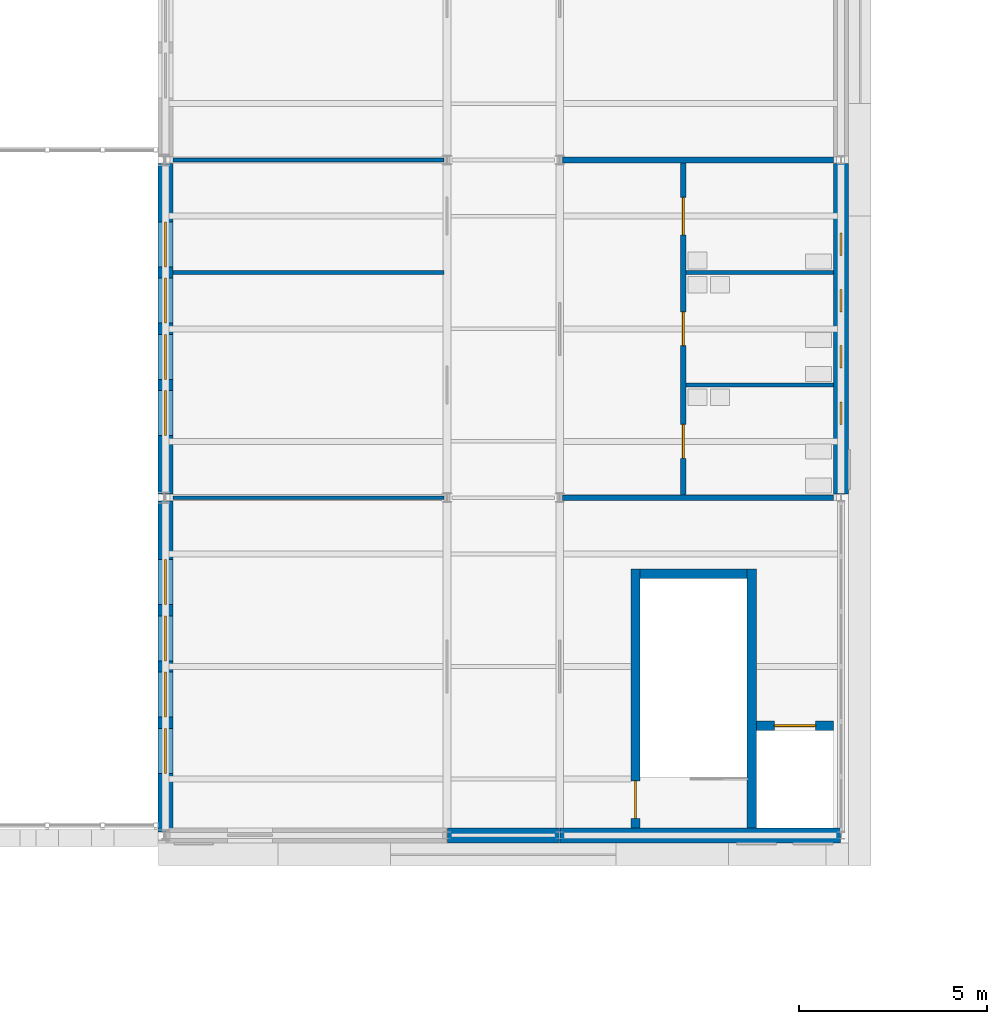
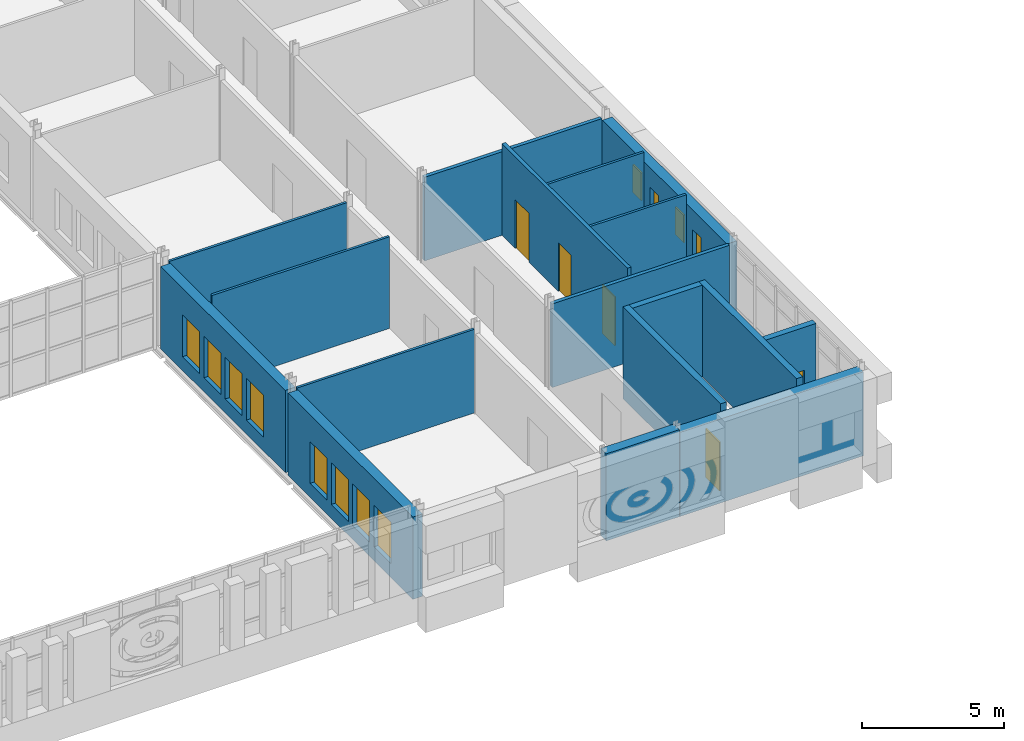
# One storey, part 105 of 154: 17 walls, 12 windows, 5 doors, 17 openings.
"""IFC4 building model written with IfcOpenShell, lengths in metres."""

from ifc_helpers import new_model, si_unit, direction, frame, frame_2d, origin, place, context, subcontext, project, spatial, rectangle, extrude, material, layer, layer_set, type_object, element, fill, save


model = new_model("IFC4")

# Units and contexts
model_context = context("Model", 3, precision=1e-05, world=origin(), true_north=direction((0.0, 1.0)))
body_context = subcontext(model_context, "Body", "Model", "MODEL_VIEW")
ifc_project = project(units=[si_unit("LENGTHUNIT", "METRE"), si_unit("AREAUNIT", "SQUARE_METRE"), si_unit("VOLUMEUNIT", "CUBIC_METRE"), si_unit("PLANEANGLEUNIT", "RADIAN"), si_unit("MASSUNIT", "GRAM", prefix="KILO")], contexts=[model_context])

# Site, building, storey
site_placement = place(None, origin())
site = spatial("IfcSite", under=ifc_project, at=site_placement, CompositionType="ELEMENT")
building_placement = place(site_placement, origin())
building = spatial("IfcBuilding", under=site, at=building_placement, Name="Golden Quay Civic Hall", CompositionType="ELEMENT")
storey_placement = place(building_placement, frame((0.0, 0.0, 14.39990234375)))
storey = spatial("IfcBuildingStorey", under=building, at=storey_placement, Name="L03", CompositionType="ELEMENT", Elevation=14.39990234375)

# Wall
ifc_material_1 = material(Name="Concrete C40/50", Category="concrete")
ifc_layer_1 = layer(ifc_material_1, 0.25)
ifc_layer_set_1 = layer_set([ifc_layer_1], Name="Concrete core wall 250, Concrete C40/50")
wall_type_1 = type_object("IfcWallType", Name="Concrete core wall 250", PredefinedType="SHEAR", material=ifc_layer_set_1)
wall_1_placement = place(storey_placement, frame((114.625, 0.199951171875, 0.0), z_axis=(0.0, 0.0, 1.0), x_axis=(0.0, 1.0, 0.0)))
element("IfcWall", 1, at=wall_1_placement, inside=storey, type_object=wall_type_1, Name="Core wall EM-S-W1", PredefinedType="SHEAR", context=body_context, shape_type="SweptSolid", body=[
    extrude(rectangle(XDim=6.900146484375, YDim=0.25, at=frame_2d((3.4501953125, 0.0))), origin(), (0.0, 0.0, 1.0), 3.9501953125),
])

# Wall, opening, door
wall_2_placement = place(storey_placement, frame((111.52490234375, 0.199951171875, 0.0), z_axis=(0.0, 0.0, 1.0), x_axis=(0.0, 1.0, 0.0)))
wall_2 = element("IfcWall", 2, at=wall_2_placement, inside=storey, type_object=wall_type_1, Name="Core wall EM-S-W2", PredefinedType="SHEAR", context=body_context, shape_type="SweptSolid", body=[
    extrude(rectangle(XDim=6.900146484375, YDim=0.25, at=frame_2d((3.4501953125, 0.0))), origin(), (0.0, 0.0, 1.0), 3.9501953125),
])
opening_1_placement = place(wall_2_placement, frame((0.25, 0.0, 0.0)))
opening_1 = element("IfcOpeningElement", 3, at=opening_1_placement, cuts=wall_2, Name="Opening L03-D120", PredefinedType="OPENING", context=body_context, shape_type="SweptSolid", body=[
    extrude(rectangle(XDim=1.0, YDim=2.10009765625, at=frame_2d((0.5, 1.050048828125))), frame((0.0, 0.135009765625, 0.0), z_axis=(0.0, -1.0, 0.0), x_axis=(1.0, 0.0, 0.0)), (0.0, 0.0, 1.0), 0.27001953125),
])
ifc_material_2 = material(Name="Steel", Category="steel")
door_type_1 = type_object("IfcDoorType", Name="Steel fire door FD60 1000 x 2100", OperationType="SINGLE_SWING_LEFT", PredefinedType="DOOR", material=ifc_material_2)
door_1_placement = place(opening_1_placement, frame((1.0, 0.0, 0.0), z_axis=(0.0, 0.0, 1.0), x_axis=(-1.0, 0.0, 0.0)))
door_1 = element("IfcDoor", 4, at=door_1_placement, inside=storey, type_object=door_type_1, Name="Door L03-D120", OperationType="SINGLE_SWING_RIGHT", OverallHeight=2.10009765625, OverallWidth=1.0, PredefinedType="DOOR", context=body_context, shape_type="SweptSolid", body=[
    extrude(rectangle(XDim=1.0, YDim=2.10009765625, at=frame_2d((0.5, 1.050048828125))), frame((0.0, 0.025146484375, 0.0), z_axis=(0.0, -1.0, 0.0), x_axis=(1.0, 0.0, 0.0)), (0.0, 0.0, 1.0), 0.050048828125),
])
fill(opening_1, door_1)

# Wall
wall_3_placement = place(storey_placement, frame((111.64990234375, 6.97509765625, 0.0), z_axis=(0.0, 0.0, 1.0), x_axis=(1.0, 0.0, 0.0)))
element("IfcWall", 5, at=wall_3_placement, inside=storey, type_object=wall_type_1, Name="Core wall EM-S-W3", PredefinedType="SHEAR", context=body_context, shape_type="SweptSolid", body=[
    extrude(rectangle(XDim=2.85009765625, YDim=0.25, at=frame_2d((1.425048828125, 0.0))), origin(), (0.0, 0.0, 1.0), 3.9501953125),
])

# Wall, opening, door
wall_4_placement = place(storey_placement, frame((114.75, 2.925048828125, 0.0), z_axis=(0.0, 0.0, 1.0), x_axis=(1.0, 0.0, 0.0)))
wall_4 = element("IfcWall", 6, at=wall_4_placement, inside=storey, type_object=wall_type_1, Name="Core wall EM-S-W4", PredefinedType="SHEAR", context=body_context, shape_type="SweptSolid", body=[
    extrude(rectangle(XDim=2.050048828125, YDim=0.25, at=frame_2d((1.02490234375, 0.0))), origin(), (0.0, 0.0, 1.0), 3.9501953125),
])
opening_2_placement = place(wall_4_placement, frame((0.47509765625, 0.0, 0.0)))
opening_2 = element("IfcOpeningElement", 7, at=opening_2_placement, cuts=wall_4, Name="Opening L03-D124", PredefinedType="OPENING", context=body_context, shape_type="SweptSolid", body=[
    extrude(rectangle(XDim=1.10009765625, YDim=2.10009765625, at=frame_2d((0.550048828125, 1.050048828125))), frame((0.0, 0.135009765625, 0.0), z_axis=(0.0, -1.0, 0.0), x_axis=(1.0, 0.0, 0.0)), (0.0, 0.0, 1.0), 0.27001953125),
])
ifc_material_3 = material(Name="Steel", Category="steel")
door_type_2 = type_object("IfcDoorType", Name="Lift landing door 1100 x 2100", OperationType="SLIDING_TO_LEFT", PredefinedType="DOOR", material=ifc_material_3)
door_2_placement = place(opening_2_placement, origin())
door_2 = element("IfcDoor", 8, at=door_2_placement, inside=storey, type_object=door_type_2, Name="Lift landing door L03-D124 EM-S", OperationType="SLIDING_TO_LEFT", OverallHeight=2.10009765625, OverallWidth=1.10009765625, PredefinedType="DOOR", context=body_context, shape_type="SweptSolid", body=[
    extrude(rectangle(XDim=1.10009765625, YDim=2.10009765625, at=frame_2d((0.550048828125, 1.050048828125))), frame((0.0, 0.02490234375, 0.0), z_axis=(0.0, -1.0, 0.0), x_axis=(1.0, 0.0, 0.0)), (0.0, 0.0, 1.0), 0.050048828125),
])
fill(opening_2, door_2)

# Walls
ifc_material_4 = material(Name="Plasterboard on steel studs", Category="steel")
ifc_layer_2 = layer(ifc_material_4, 0.10009765625)
ifc_layer_set_2 = layer_set([ifc_layer_2], Name="Partition 100 stud")
wall_type_2 = type_object("IfcWallType", Name="Partition 100 stud", PredefinedType="PARTITIONING", material=ifc_layer_set_2)
wall_5_placement = place(storey_placement, frame((99.199951171875, 9.0, 0.0), z_axis=(0.0, 0.0, 1.0), x_axis=(1.0, 0.0, 0.0)))
element("IfcWall", 9, at=wall_5_placement, inside=storey, type_object=wall_type_2, Name="Partition L03-005", PredefinedType="PARTITIONING", context=body_context, shape_type="SweptSolid", body=[
    extrude(rectangle(XDim=7.22509765625, YDim=0.10009765625, at=frame_2d((3.612548828125, 0.0))), origin(), (0.0, 0.0, 1.0), 3.60009765625),
])
wall_6_placement = place(storey_placement, frame((99.199951171875, 15.0, 0.0), z_axis=(0.0, 0.0, 1.0), x_axis=(1.0, 0.0, 0.0)))
element("IfcWall", 10, at=wall_6_placement, inside=storey, type_object=wall_type_2, Name="Partition L03-006", PredefinedType="PARTITIONING", context=body_context, shape_type="SweptSolid", body=[
    extrude(rectangle(XDim=7.22509765625, YDim=0.10009765625, at=frame_2d((3.612548828125, 0.0))), origin(), (0.0, 0.0, 1.0), 3.9501953125),
])
wall_7_placement = place(storey_placement, frame((99.199951171875, 18.0, 0.0), z_axis=(0.0, 0.0, 1.0), x_axis=(1.0, 0.0, 0.0)))
element("IfcWall", 11, at=wall_7_placement, inside=storey, type_object=wall_type_2, Name="Partition L03-007", PredefinedType="PARTITIONING", context=body_context, shape_type="SweptSolid", body=[
    extrude(rectangle(XDim=7.22509765625, YDim=0.10009765625, at=frame_2d((3.612548828125, 0.0))), origin(), (0.0, 0.0, 1.0), 3.60009765625),
])
for number, where, z_axis, x_axis, name in (
    (12, (112.875, 12.0, 0.0), (0.0, 0.0, 1.0), (1.0, 0.0, 0.0), "Partition L03-017"),
    (13, (112.875, 15.0, 0.0), (0.0, 0.0, 1.0), (1.0, 0.0, 0.0), "Partition L03-018"),
):
    element("IfcWall", number, at=place(storey_placement, frame(where, z_axis=z_axis, x_axis=x_axis)), inside=storey, type_object=wall_type_2, Name=name, PredefinedType="PARTITIONING", context=body_context, shape_type="SweptSolid", body=[
        extrude(rectangle(XDim=3.925048828125, YDim=0.10009765625, at=frame_2d((1.96240234375, 0.0))), origin(), (0.0, 0.0, 1.0), 3.9501953125),
    ])
ifc_material_5 = material(Name="Plasterboard on steel studs", Category="steel")
ifc_layer_3 = layer(ifc_material_5, 0.14990234375)
ifc_layer_set_3 = layer_set([ifc_layer_3], Name="Partition 150 stud fire EI 60")
wall_type_3 = type_object("IfcWallType", Name="Partition 150 stud fire EI 60", PredefinedType="PARTITIONING", material=ifc_layer_set_3)
for number, where, z_axis, x_axis, name in (
    (14, (109.574951171875, 18.0, 0.0), (0.0, 0.0, 1.0), (1.0, 0.0, 0.0), "Partition L03-000"),
    (15, (109.574951171875, 9.0, 0.0), (0.0, 0.0, 1.0), (1.0, 0.0, 0.0), "Partition L03-013"),
):
    element("IfcWall", number, at=place(storey_placement, frame(where, z_axis=z_axis, x_axis=x_axis)), inside=storey, type_object=wall_type_3, Name=name, PredefinedType="PARTITIONING", context=body_context, shape_type="SweptSolid", body=[
        extrude(rectangle(XDim=7.22509765625, YDim=0.14990234375, at=frame_2d((3.612548828125, 0.0))), origin(), (0.0, 0.0, 1.0), 3.60009765625),
    ])

# Wall, openings, doors
wall_8_placement = place(storey_placement, frame((112.800048828125, 9.074951171875, 0.0), z_axis=(0.0, 0.0, 1.0), x_axis=(0.0, 1.0, 0.0)))
wall_8 = element("IfcWall", 16, at=wall_8_placement, inside=storey, type_object=wall_type_3, Name="Partition L03-016", PredefinedType="PARTITIONING", context=body_context, shape_type="SweptSolid", body=[
    extrude(rectangle(XDim=8.85009765625, YDim=0.14990234375, at=frame_2d((4.425048828125, 0.0))), origin(), (0.0, 0.0, 1.0), 3.9501953125),
])
opening_3_placement = place(wall_8_placement, frame((0.97509765625, 0.0, 0.0)))
opening_3 = element("IfcOpeningElement", 17, at=opening_3_placement, cuts=wall_8, Name="Opening L03-D117", PredefinedType="OPENING", context=body_context, shape_type="SweptSolid", body=[
    extrude(rectangle(XDim=0.89990234375, YDim=2.10009765625, at=frame_2d((0.449951171875, 1.050048828125))), frame((0.0, 0.0849609375, 0.0), z_axis=(0.0, -1.0, 0.0), x_axis=(1.0, 0.0, 0.0)), (0.0, 0.0, 1.0), 0.169921875),
])
opening_4_placement = place(wall_8_placement, frame((3.97509765625, 0.0, 0.0)))
opening_4 = element("IfcOpeningElement", 18, at=opening_4_placement, cuts=wall_8, Name="Opening L03-D118", PredefinedType="OPENING", context=body_context, shape_type="SweptSolid", body=[
    extrude(rectangle(XDim=0.89990234375, YDim=2.10009765625, at=frame_2d((0.449951171875, 1.050048828125))), frame((0.0, 0.0849609375, 0.0), z_axis=(0.0, -1.0, 0.0), x_axis=(1.0, 0.0, 0.0)), (0.0, 0.0, 1.0), 0.169921875),
])
opening_5_placement = place(wall_8_placement, frame((6.925048828125, 0.0, 0.0)))
opening_5 = element("IfcOpeningElement", 19, at=opening_5_placement, cuts=wall_8, Name="Opening L03-D119", PredefinedType="OPENING", context=body_context, shape_type="SweptSolid", body=[
    extrude(rectangle(XDim=1.0, YDim=2.10009765625, at=frame_2d((0.5, 1.050048828125))), frame((0.0, 0.0849609375, 0.0), z_axis=(0.0, -1.0, 0.0), x_axis=(1.0, 0.0, 0.0)), (0.0, 0.0, 1.0), 0.169921875),
])
ifc_material_6 = material(Name="Timber", Category="wood")
door_type_3 = type_object("IfcDoorType", Name="Timber door 1000 x 2100", OperationType="SINGLE_SWING_LEFT", PredefinedType="DOOR", material=ifc_material_6)
door_3_placement = place(opening_5_placement, frame((1.0, 0.0, 0.0), z_axis=(0.0, 0.0, 1.0), x_axis=(-1.0, 0.0, 0.0)))
door_3 = element("IfcDoor", 20, at=door_3_placement, inside=storey, type_object=door_type_3, Name="Door L03-D119", OperationType="SINGLE_SWING_RIGHT", OverallHeight=2.10009765625, OverallWidth=1.0, PredefinedType="DOOR", context=body_context, shape_type="SweptSolid", body=[
    extrude(rectangle(XDim=1.0, YDim=2.10009765625, at=frame_2d((0.5, 1.050048828125))), frame((0.0, 0.025146484375, 0.0), z_axis=(0.0, -1.0, 0.0), x_axis=(1.0, 0.0, 0.0)), (0.0, 0.0, 1.0), 0.050048828125),
])
fill(opening_5, door_3)
ifc_material_7 = material(Name="Timber", Category="wood")
door_type_4 = type_object("IfcDoorType", Name="Timber door 900 x 2100", OperationType="SINGLE_SWING_LEFT", PredefinedType="DOOR", material=ifc_material_7)
door_4_placement = place(opening_3_placement, frame((0.89990234375, 0.0, 0.0), z_axis=(0.0, 0.0, 1.0), x_axis=(-1.0, 0.0, 0.0)))
door_4 = element("IfcDoor", 21, at=door_4_placement, inside=storey, type_object=door_type_4, Name="Door L03-D117", OperationType="SINGLE_SWING_RIGHT", OverallHeight=2.10009765625, OverallWidth=0.89990234375, PredefinedType="DOOR", context=body_context, shape_type="SweptSolid", body=[
    extrude(rectangle(XDim=0.89990234375, YDim=2.10009765625, at=frame_2d((0.449951171875, 1.050048828125))), frame((0.0, 0.025146484375, 0.0), z_axis=(0.0, -1.0, 0.0), x_axis=(1.0, 0.0, 0.0)), (0.0, 0.0, 1.0), 0.050048828125),
])
fill(opening_3, door_4)
door_5_placement = place(opening_4_placement, frame((0.89990234375, 0.0, 0.0), z_axis=(0.0, 0.0, 1.0), x_axis=(-1.0, 0.0, 0.0)))
door_5 = element("IfcDoor", 22, at=door_5_placement, inside=storey, type_object=door_type_4, Name="Door L03-D118", OperationType="SINGLE_SWING_RIGHT", OverallHeight=2.10009765625, OverallWidth=0.89990234375, PredefinedType="DOOR", context=body_context, shape_type="SweptSolid", body=[
    extrude(rectangle(XDim=0.89990234375, YDim=2.10009765625, at=frame_2d((0.449951171875, 1.050048828125))), frame((0.0, 0.025146484375, 0.0), z_axis=(0.0, -1.0, 0.0), x_axis=(1.0, 0.0, 0.0)), (0.0, 0.0, 1.0), 0.050048828125),
])
fill(opening_4, door_5)

# Wall, openings, windows
ifc_material_8 = material(Name="Clay block, rendered, cream")
ifc_layer_4 = layer(ifc_material_8, 0.39990234375)
ifc_layer_set_4 = layer_set([ifc_layer_4], Name="Rendered block external wall 400")
wall_type_4 = type_object("IfcWallType", Name="Rendered block external wall 400", PredefinedType="STANDARD", material=ifc_layer_set_4)
wall_9_placement = place(storey_placement, frame((99.0, 0.094970703125, 0.0), z_axis=(0.0, 0.0, 1.0), x_axis=(0.0, 1.0, 0.0)))
wall_9 = element("IfcWall", 23, at=wall_9_placement, inside=storey, type_object=wall_type_4, Name="Rendered block external wall 400 L03 35", PredefinedType="STANDARD", context=body_context, shape_type="SweptSolid", body=[
    extrude(rectangle(XDim=8.81005859375, YDim=0.39990234375, at=frame_2d((4.405029296875, 0.0))), origin(), (0.0, 0.0, 1.0), 3.550048828125),
])
opening_6_placement = place(wall_9_placement, frame((1.554931640625, 0.0, 0.60009765625)))
opening_6 = element("IfcOpeningElement", 24, at=opening_6_placement, cuts=wall_9, Name="Opening WN10", PredefinedType="OPENING", context=body_context, shape_type="SweptSolid", body=[
    extrude(rectangle(XDim=1.199951171875, YDim=1.800048828125, at=frame_2d((0.60009765625, 0.89990234375))), frame((0.0, 0.2099609375, 0.0), z_axis=(0.0, -1.0, 0.0), x_axis=(1.0, 0.0, 0.0)), (0.0, 0.0, 1.0), 0.419921875),
])
opening_7_placement = place(wall_9_placement, frame((3.054931640625, 0.0, 0.60009765625)))
opening_7 = element("IfcOpeningElement", 25, at=opening_7_placement, cuts=wall_9, Name="Opening WN10", PredefinedType="OPENING", context=body_context, shape_type="SweptSolid", body=[
    extrude(rectangle(XDim=1.199951171875, YDim=1.800048828125, at=frame_2d((0.60009765625, 0.89990234375))), frame((0.0, 0.2099609375, 0.0), z_axis=(0.0, -1.0, 0.0), x_axis=(1.0, 0.0, 0.0)), (0.0, 0.0, 1.0), 0.419921875),
])
opening_8_placement = place(wall_9_placement, frame((4.554931640625, 0.0, 0.60009765625)))
opening_8 = element("IfcOpeningElement", 26, at=opening_8_placement, cuts=wall_9, Name="Opening WN10", PredefinedType="OPENING", context=body_context, shape_type="SweptSolid", body=[
    extrude(rectangle(XDim=1.199951171875, YDim=1.800048828125, at=frame_2d((0.60009765625, 0.89990234375))), frame((0.0, 0.2099609375, 0.0), z_axis=(0.0, -1.0, 0.0), x_axis=(1.0, 0.0, 0.0)), (0.0, 0.0, 1.0), 0.419921875),
])
opening_9_placement = place(wall_9_placement, frame((6.054931640625, 0.0, 0.60009765625)))
opening_9 = element("IfcOpeningElement", 27, at=opening_9_placement, cuts=wall_9, Name="Opening WN10", PredefinedType="OPENING", context=body_context, shape_type="SweptSolid", body=[
    extrude(rectangle(XDim=1.199951171875, YDim=1.800048828125, at=frame_2d((0.60009765625, 0.89990234375))), frame((0.0, 0.2099609375, 0.0), z_axis=(0.0, -1.0, 0.0), x_axis=(1.0, 0.0, 0.0)), (0.0, 0.0, 1.0), 0.419921875),
])
ifc_material_9 = material(Name="Aluminium frame, double glazed", Category="aluminium")
window_type_1 = type_object("IfcWindowType", Name="Golden grid window 1200 x 1800", PartitioningType="SINGLE_PANEL", PredefinedType="WINDOW", material=ifc_material_9)
window_1_placement = place(opening_6_placement, origin())
window_1 = element("IfcWindow", 28, at=window_1_placement, inside=storey, type_object=window_type_1, Name="Golden grid window 1200 x 1800 L03 38", OverallHeight=1.800048828125, OverallWidth=1.199951171875, PartitioningType="SINGLE_PANEL", PredefinedType="WINDOW", context=body_context, shape_type="SweptSolid", body=[
    extrude(rectangle(XDim=1.199951171875, YDim=1.800048828125, at=frame_2d((0.60009765625, 0.89990234375))), frame((0.0, 0.030029296875, 0.0), z_axis=(0.0, -1.0, 0.0), x_axis=(1.0, 0.0, 0.0)), (0.0, 0.0, 1.0), 0.06005859375),
])
fill(opening_6, window_1)
window_2_placement = place(opening_7_placement, origin())
window_2 = element("IfcWindow", 29, at=window_2_placement, inside=storey, type_object=window_type_1, Name="Golden grid window 1200 x 1800 L03 39", OverallHeight=1.800048828125, OverallWidth=1.199951171875, PartitioningType="SINGLE_PANEL", PredefinedType="WINDOW", context=body_context, shape_type="SweptSolid", body=[
    extrude(rectangle(XDim=1.199951171875, YDim=1.800048828125, at=frame_2d((0.60009765625, 0.89990234375))), frame((0.0, 0.030029296875, 0.0), z_axis=(0.0, -1.0, 0.0), x_axis=(1.0, 0.0, 0.0)), (0.0, 0.0, 1.0), 0.06005859375),
])
fill(opening_7, window_2)
window_3_placement = place(opening_8_placement, origin())
window_3 = element("IfcWindow", 30, at=window_3_placement, inside=storey, type_object=window_type_1, Name="Golden grid window 1200 x 1800 L03 40", OverallHeight=1.800048828125, OverallWidth=1.199951171875, PartitioningType="SINGLE_PANEL", PredefinedType="WINDOW", context=body_context, shape_type="SweptSolid", body=[
    extrude(rectangle(XDim=1.199951171875, YDim=1.800048828125, at=frame_2d((0.60009765625, 0.89990234375))), frame((0.0, 0.030029296875, 0.0), z_axis=(0.0, -1.0, 0.0), x_axis=(1.0, 0.0, 0.0)), (0.0, 0.0, 1.0), 0.06005859375),
])
fill(opening_8, window_3)
window_4_placement = place(opening_9_placement, origin())
window_4 = element("IfcWindow", 31, at=window_4_placement, inside=storey, type_object=window_type_1, Name="Golden grid window 1200 x 1800 L03 41", OverallHeight=1.800048828125, OverallWidth=1.199951171875, PartitioningType="SINGLE_PANEL", PredefinedType="WINDOW", context=body_context, shape_type="SweptSolid", body=[
    extrude(rectangle(XDim=1.199951171875, YDim=1.800048828125, at=frame_2d((0.60009765625, 0.89990234375))), frame((0.0, 0.030029296875, 0.0), z_axis=(0.0, -1.0, 0.0), x_axis=(1.0, 0.0, 0.0)), (0.0, 0.0, 1.0), 0.06005859375),
])
fill(opening_9, window_4)

wall_10_placement = place(storey_placement, frame((99.0, 9.094970703125, 0.0), z_axis=(0.0, 0.0, 1.0), x_axis=(0.0, 1.0, 0.0)))
wall_10 = element("IfcWall", 32, at=wall_10_placement, inside=storey, type_object=wall_type_4, Name="Rendered block external wall 400 L03 36", PredefinedType="STANDARD", context=body_context, shape_type="SweptSolid", body=[
    extrude(rectangle(XDim=8.81005859375, YDim=0.39990234375, at=frame_2d((4.405029296875, 0.0))), origin(), (0.0, 0.0, 1.0), 3.550048828125),
])
opening_10_placement = place(wall_10_placement, frame((1.554931640625, 0.0, 0.60009765625)))
opening_10 = element("IfcOpeningElement", 33, at=opening_10_placement, cuts=wall_10, Name="Opening WN10", PredefinedType="OPENING", context=body_context, shape_type="SweptSolid", body=[
    extrude(rectangle(XDim=1.199951171875, YDim=1.800048828125, at=frame_2d((0.60009765625, 0.89990234375))), frame((0.0, 0.2099609375, 0.0), z_axis=(0.0, -1.0, 0.0), x_axis=(1.0, 0.0, 0.0)), (0.0, 0.0, 1.0), 0.419921875),
])
opening_11_placement = place(wall_10_placement, frame((3.054931640625, 0.0, 0.60009765625)))
opening_11 = element("IfcOpeningElement", 34, at=opening_11_placement, cuts=wall_10, Name="Opening WN10", PredefinedType="OPENING", context=body_context, shape_type="SweptSolid", body=[
    extrude(rectangle(XDim=1.199951171875, YDim=1.800048828125, at=frame_2d((0.60009765625, 0.89990234375))), frame((0.0, 0.2099609375, 0.0), z_axis=(0.0, -1.0, 0.0), x_axis=(1.0, 0.0, 0.0)), (0.0, 0.0, 1.0), 0.419921875),
])
opening_12_placement = place(wall_10_placement, frame((4.554931640625, 0.0, 0.60009765625)))
opening_12 = element("IfcOpeningElement", 35, at=opening_12_placement, cuts=wall_10, Name="Opening WN10", PredefinedType="OPENING", context=body_context, shape_type="SweptSolid", body=[
    extrude(rectangle(XDim=1.199951171875, YDim=1.800048828125, at=frame_2d((0.60009765625, 0.89990234375))), frame((0.0, 0.2099609375, 0.0), z_axis=(0.0, -1.0, 0.0), x_axis=(1.0, 0.0, 0.0)), (0.0, 0.0, 1.0), 0.419921875),
])
opening_13_placement = place(wall_10_placement, frame((6.054931640625, 0.0, 0.60009765625)))
opening_13 = element("IfcOpeningElement", 36, at=opening_13_placement, cuts=wall_10, Name="Opening WN10", PredefinedType="OPENING", context=body_context, shape_type="SweptSolid", body=[
    extrude(rectangle(XDim=1.199951171875, YDim=1.800048828125, at=frame_2d((0.60009765625, 0.89990234375))), frame((0.0, 0.2099609375, 0.0), z_axis=(0.0, -1.0, 0.0), x_axis=(1.0, 0.0, 0.0)), (0.0, 0.0, 1.0), 0.419921875),
])
window_5_placement = place(opening_10_placement, origin())
window_5 = element("IfcWindow", 37, at=window_5_placement, inside=storey, type_object=window_type_1, Name="Golden grid window 1200 x 1800 L03 42", OverallHeight=1.800048828125, OverallWidth=1.199951171875, PartitioningType="SINGLE_PANEL", PredefinedType="WINDOW", context=body_context, shape_type="SweptSolid", body=[
    extrude(rectangle(XDim=1.199951171875, YDim=1.800048828125, at=frame_2d((0.60009765625, 0.89990234375))), frame((0.0, 0.030029296875, 0.0), z_axis=(0.0, -1.0, 0.0), x_axis=(1.0, 0.0, 0.0)), (0.0, 0.0, 1.0), 0.06005859375),
])
fill(opening_10, window_5)
window_6_placement = place(opening_11_placement, origin())
window_6 = element("IfcWindow", 38, at=window_6_placement, inside=storey, type_object=window_type_1, Name="Golden grid window 1200 x 1800 L03 43", OverallHeight=1.800048828125, OverallWidth=1.199951171875, PartitioningType="SINGLE_PANEL", PredefinedType="WINDOW", context=body_context, shape_type="SweptSolid", body=[
    extrude(rectangle(XDim=1.199951171875, YDim=1.800048828125, at=frame_2d((0.60009765625, 0.89990234375))), frame((0.0, 0.030029296875, 0.0), z_axis=(0.0, -1.0, 0.0), x_axis=(1.0, 0.0, 0.0)), (0.0, 0.0, 1.0), 0.06005859375),
])
fill(opening_11, window_6)
window_7_placement = place(opening_12_placement, origin())
window_7 = element("IfcWindow", 39, at=window_7_placement, inside=storey, type_object=window_type_1, Name="Golden grid window 1200 x 1800 L03 44", OverallHeight=1.800048828125, OverallWidth=1.199951171875, PartitioningType="SINGLE_PANEL", PredefinedType="WINDOW", context=body_context, shape_type="SweptSolid", body=[
    extrude(rectangle(XDim=1.199951171875, YDim=1.800048828125, at=frame_2d((0.60009765625, 0.89990234375))), frame((0.0, 0.030029296875, 0.0), z_axis=(0.0, -1.0, 0.0), x_axis=(1.0, 0.0, 0.0)), (0.0, 0.0, 1.0), 0.06005859375),
])
fill(opening_12, window_7)
window_8_placement = place(opening_13_placement, origin())
window_8 = element("IfcWindow", 40, at=window_8_placement, inside=storey, type_object=window_type_1, Name="Golden grid window 1200 x 1800 L03 45", OverallHeight=1.800048828125, OverallWidth=1.199951171875, PartitioningType="SINGLE_PANEL", PredefinedType="WINDOW", context=body_context, shape_type="SweptSolid", body=[
    extrude(rectangle(XDim=1.199951171875, YDim=1.800048828125, at=frame_2d((0.60009765625, 0.89990234375))), frame((0.0, 0.030029296875, 0.0), z_axis=(0.0, -1.0, 0.0), x_axis=(1.0, 0.0, 0.0)), (0.0, 0.0, 1.0), 0.06005859375),
])
fill(opening_13, window_8)

wall_11_placement = place(storey_placement, frame((117.0, 17.905029296875, 0.0), z_axis=(0.0, 0.0, 1.0), x_axis=(0.0, -1.0, 0.0)))
wall_11 = element("IfcWall", 41, at=wall_11_placement, inside=storey, type_object=wall_type_4, Name="Rendered block external wall 400 L03 43", PredefinedType="STANDARD", context=body_context, shape_type="SweptSolid", body=[
    extrude(rectangle(XDim=8.81005859375, YDim=0.39990234375, at=frame_2d((4.405029296875, 0.0))), origin(), (0.0, 0.0, 1.0), 3.550048828125),
])
opening_14_placement = place(wall_11_placement, frame((6.35498046875, 0.0, 1.5)))
opening_14 = element("IfcOpeningElement", 42, at=opening_14_placement, cuts=wall_11, Name="Opening WN1", PredefinedType="OPENING", context=body_context, shape_type="SweptSolid", body=[
    extrude(rectangle(XDim=0.60009765625, YDim=1.199951171875, at=frame_2d((0.300048828125, 0.60009765625))), frame((0.0, 0.2099609375, 0.0), z_axis=(0.0, -1.0, 0.0), x_axis=(1.0, 0.0, 0.0)), (0.0, 0.0, 1.0), 0.419921875),
])
opening_15_placement = place(wall_11_placement, frame((4.85498046875, 0.0, 1.5)))
opening_15 = element("IfcOpeningElement", 43, at=opening_15_placement, cuts=wall_11, Name="Opening WN1", PredefinedType="OPENING", context=body_context, shape_type="SweptSolid", body=[
    extrude(rectangle(XDim=0.60009765625, YDim=1.199951171875, at=frame_2d((0.300048828125, 0.60009765625))), frame((0.0, 0.2099609375, 0.0), z_axis=(0.0, -1.0, 0.0), x_axis=(1.0, 0.0, 0.0)), (0.0, 0.0, 1.0), 0.419921875),
])
opening_16_placement = place(wall_11_placement, frame((3.35498046875, 0.0, 1.5)))
opening_16 = element("IfcOpeningElement", 44, at=opening_16_placement, cuts=wall_11, Name="Opening WN1", PredefinedType="OPENING", context=body_context, shape_type="SweptSolid", body=[
    extrude(rectangle(XDim=0.60009765625, YDim=1.199951171875, at=frame_2d((0.300048828125, 0.60009765625))), frame((0.0, 0.2099609375, 0.0), z_axis=(0.0, -1.0, 0.0), x_axis=(1.0, 0.0, 0.0)), (0.0, 0.0, 1.0), 0.419921875),
])
opening_17_placement = place(wall_11_placement, frame((1.85498046875, 0.0, 1.5)))
opening_17 = element("IfcOpeningElement", 45, at=opening_17_placement, cuts=wall_11, Name="Opening WN1", PredefinedType="OPENING", context=body_context, shape_type="SweptSolid", body=[
    extrude(rectangle(XDim=0.60009765625, YDim=1.199951171875, at=frame_2d((0.300048828125, 0.60009765625))), frame((0.0, 0.2099609375, 0.0), z_axis=(0.0, -1.0, 0.0), x_axis=(1.0, 0.0, 0.0)), (0.0, 0.0, 1.0), 0.419921875),
])
ifc_material_10 = material(Name="Aluminium frame, double glazed", Category="aluminium")
window_type_2 = type_object("IfcWindowType", Name="WC window 600 x 1200", PartitioningType="SINGLE_PANEL", PredefinedType="WINDOW", material=ifc_material_10)
window_9_placement = place(opening_14_placement, origin())
window_9 = element("IfcWindow", 46, at=window_9_placement, inside=storey, type_object=window_type_2, Name="WC window 600 x 1200 L03 12", OverallHeight=1.199951171875, OverallWidth=0.60009765625, PartitioningType="SINGLE_PANEL", PredefinedType="WINDOW", context=body_context, shape_type="SweptSolid", body=[
    extrude(rectangle(XDim=0.60009765625, YDim=1.199951171875, at=frame_2d((0.300048828125, 0.60009765625))), frame((0.0, 0.030029296875, 0.0), z_axis=(0.0, -1.0, 0.0), x_axis=(1.0, 0.0, 0.0)), (0.0, 0.0, 1.0), 0.06005859375),
])
fill(opening_14, window_9)
window_10_placement = place(opening_15_placement, origin())
window_10 = element("IfcWindow", 47, at=window_10_placement, inside=storey, type_object=window_type_2, Name="WC window 600 x 1200 L03 13", OverallHeight=1.199951171875, OverallWidth=0.60009765625, PartitioningType="SINGLE_PANEL", PredefinedType="WINDOW", context=body_context, shape_type="SweptSolid", body=[
    extrude(rectangle(XDim=0.60009765625, YDim=1.199951171875, at=frame_2d((0.300048828125, 0.60009765625))), frame((0.0, 0.030029296875, 0.0), z_axis=(0.0, -1.0, 0.0), x_axis=(1.0, 0.0, 0.0)), (0.0, 0.0, 1.0), 0.06005859375),
])
fill(opening_15, window_10)
window_11_placement = place(opening_16_placement, origin())
window_11 = element("IfcWindow", 48, at=window_11_placement, inside=storey, type_object=window_type_2, Name="WC window 600 x 1200 L03 14", OverallHeight=1.199951171875, OverallWidth=0.60009765625, PartitioningType="SINGLE_PANEL", PredefinedType="WINDOW", context=body_context, shape_type="SweptSolid", body=[
    extrude(rectangle(XDim=0.60009765625, YDim=1.199951171875, at=frame_2d((0.300048828125, 0.60009765625))), frame((0.0, 0.030029296875, 0.0), z_axis=(0.0, -1.0, 0.0), x_axis=(1.0, 0.0, 0.0)), (0.0, 0.0, 1.0), 0.06005859375),
])
fill(opening_16, window_11)
window_12_placement = place(opening_17_placement, origin())
window_12 = element("IfcWindow", 49, at=window_12_placement, inside=storey, type_object=window_type_2, Name="WC window 600 x 1200 L03 15", OverallHeight=1.199951171875, OverallWidth=0.60009765625, PartitioningType="SINGLE_PANEL", PredefinedType="WINDOW", context=body_context, shape_type="SweptSolid", body=[
    extrude(rectangle(XDim=0.60009765625, YDim=1.199951171875, at=frame_2d((0.300048828125, 0.60009765625))), frame((0.0, 0.030029296875, 0.0), z_axis=(0.0, -1.0, 0.0), x_axis=(1.0, 0.0, 0.0)), (0.0, 0.0, 1.0), 0.06005859375),
])
fill(opening_17, window_12)

# Walls
wall_12_placement = place(storey_placement, frame((109.49169921875, 0.0, 0.0), z_axis=(0.0, 0.0, 1.0), x_axis=(-1.0, 0.0, 0.0)))
element("IfcWall", 50, at=wall_12_placement, inside=storey, type_object=wall_type_4, Name="Rendered block external wall 400 L03 48", PredefinedType="STANDARD", context=body_context, shape_type="SweptSolid", body=[
    extrude(rectangle(XDim=2.9833984375, YDim=0.39990234375, at=frame_2d((1.49169921875, 0.0))), origin(), (0.0, 0.0, 1.0), 3.75),
])
ifc_material_11 = material(Name="Clay block, rendered, cream")
ifc_layer_5 = layer(ifc_material_11, 0.39990234375)
ifc_layer_set_5 = layer_set([ifc_layer_5], Name="Rendered block external wall 400 fire EI 60")
wall_type_5 = type_object("IfcWallType", Name="Rendered block external wall 400 fire EI 60", PredefinedType="STANDARD", material=ifc_layer_set_5)
wall_13_placement = place(storey_placement, frame((116.99169921875, 0.0, 0.0), z_axis=(0.0, 0.0, 1.0), x_axis=(-1.0, 0.0, 0.0)))
element("IfcWall", 51, at=wall_13_placement, inside=storey, type_object=wall_type_5, Name="Rendered block external wall 400 fire EI 60 L03 9", PredefinedType="STANDARD", context=body_context, shape_type="SweptSolid", body=[
    extrude(rectangle(XDim=7.4833984375, YDim=0.39990234375, at=frame_2d((3.74169921875, 0.0))), origin(), (0.0, 0.0, 1.0), 3.6201171875),
])

save(model, "model.ifc")
